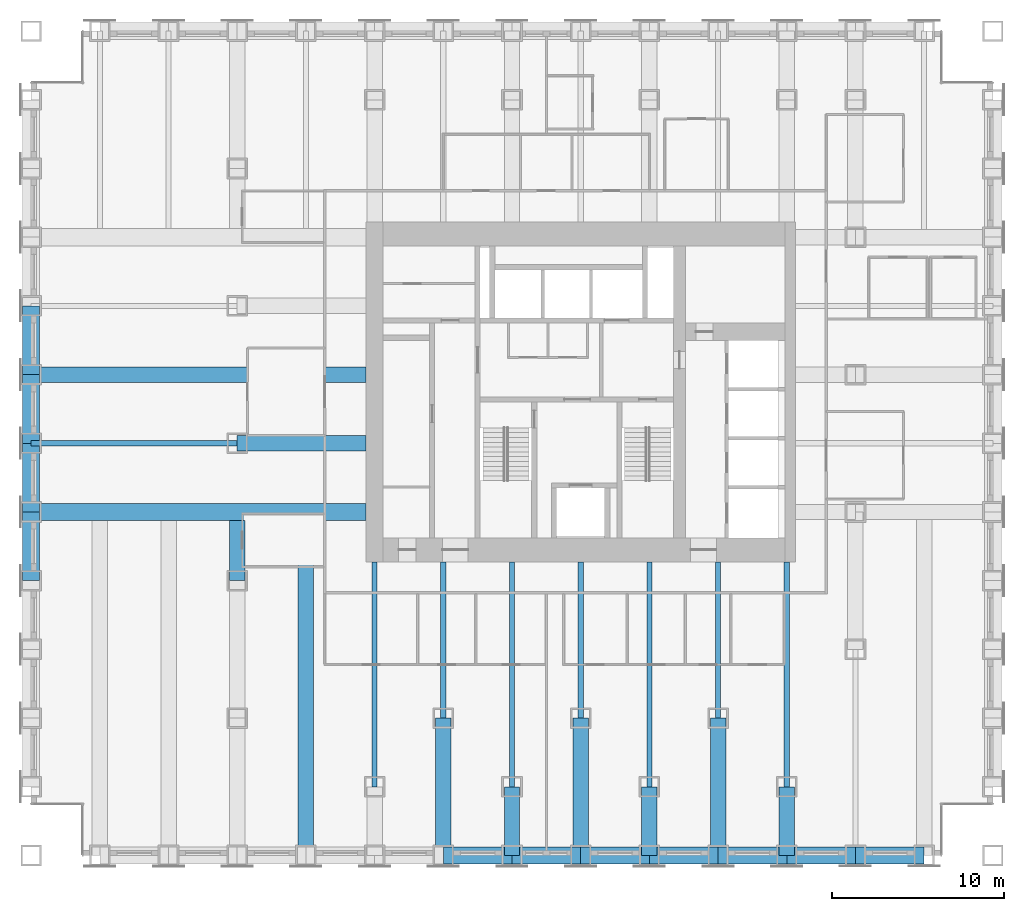
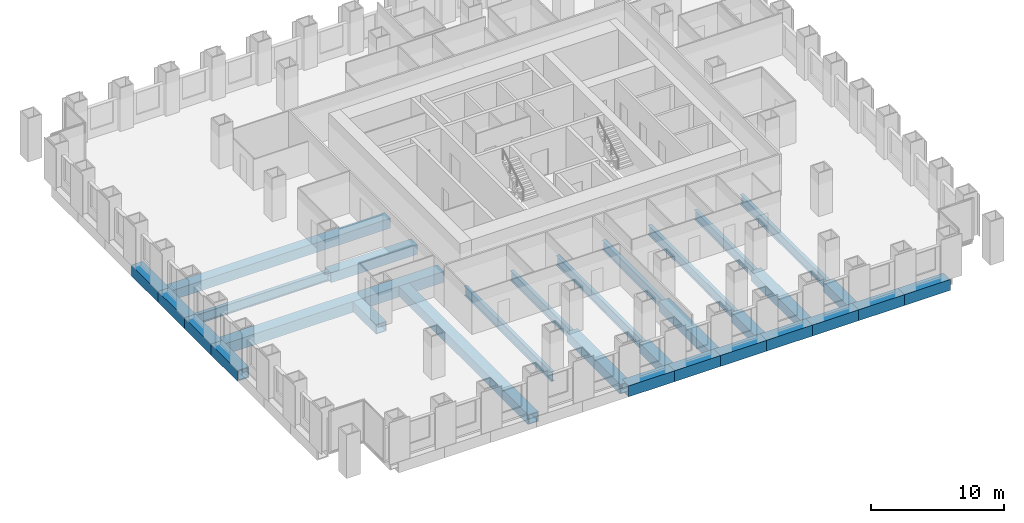
# One storey, part 3 of 14: 30 beams.
"""IFC4 building model written with IfcOpenShell, lengths in metres."""

from ifc_helpers import new_model, si_unit, direction, frame, origin, origin_2d, place, context, subcontext, project, spatial, hollow_rectangle, i_section, extrude, material, material_profile, profile_set, type_object, element, save


model = new_model("IFC4")

# Units and contexts
model_context = context("Model", 3, precision=1e-05, world=origin(), true_north=direction((0.0, 1.0)))
body_context = subcontext(model_context, "Body", "Model", "MODEL_VIEW")
ifc_project = project(units=[si_unit("LENGTHUNIT", "METRE"), si_unit("AREAUNIT", "SQUARE_METRE"), si_unit("VOLUMEUNIT", "CUBIC_METRE"), si_unit("PLANEANGLEUNIT", "RADIAN"), si_unit("MASSUNIT", "GRAM", prefix="KILO")], contexts=[model_context])

# Site, building, storey
site_placement = place(None, origin())
site = spatial("IfcSite", under=ifc_project, at=site_placement, CompositionType="ELEMENT")
building_placement = place(site_placement, origin())
building = spatial("IfcBuilding", under=site, at=building_placement, Name="Rimbunsela Tower", CompositionType="ELEMENT")
storey_placement = place(building_placement, frame((0.0, 0.0, 55.0)))
storey = spatial("IfcBuildingStorey", under=building, at=storey_placement, Name="L13", CompositionType="ELEMENT", Elevation=55.0)

# Beams
ifc_material_1 = material(Name="Steel BJ 55 (fy 410 MPa)", Category="steel")
ifc_material_profile_1 = material_profile(ifc_material_1, hollow_rectangle(XDim=1.0, YDim=1.0, WallThickness=0.10009765625, at=origin_2d()), Name="BOX 1000x1000x100")
ifc_profile_set_1 = profile_set([ifc_material_profile_1], Name="Steel BJ 55 (fy 410 MPa)")
beam_type_1 = type_object("IfcBeamType", Name="Beam BOX 1000x1000x100", PredefinedType="BEAM", material=ifc_profile_set_1)
for number, where, z_axis, x_axis, name in (
    (1, (-2.0, 16.0, -0.64990234375), (0.0, 1.0, 0.0), (-1.0, 0.0, 0.0), "Beam B3 L13"),
    (2, (-2.0, 20.0, -0.64990234375), (0.0, 1.0, 0.0), (-1.0, 0.0, 0.0), "Beam B3 L13"),
):
    element("IfcBeam", number, at=place(storey_placement, frame(where, z_axis=z_axis, x_axis=x_axis)), inside=storey, type_object=beam_type_1, Name=name, PredefinedType="BEAM", context=body_context, shape_type="SweptSolid", body=[
        extrude(hollow_rectangle(XDim=1.0, YDim=1.0, WallThickness=0.10009765625, at=origin_2d()), origin(), (0.0, 0.0, 1.0), 4.0),
    ])
beam_1_placement = place(storey_placement, frame((-2.0, 20.0, -0.64990234375), z_axis=(1.0, 0.0, 0.0), x_axis=(0.0, 1.0, 0.0)))
element("IfcBeam", 3, at=beam_1_placement, inside=storey, type_object=beam_type_1, Name="Beam B3 L13", PredefinedType="BEAM", context=body_context, shape_type="SweptSolid", body=[
    extrude(hollow_rectangle(XDim=1.0, YDim=1.0, WallThickness=0.10009765625, at=origin_2d()), origin(), (0.0, 0.0, 1.0), 19.5),
])
for number, where, z_axis, x_axis, name in (
    (4, (-2.0, 24.0, -0.64990234375), (0.0, 1.0, 0.0), (-1.0, 0.0, 0.0), "Beam B3 L13"),
    (5, (-2.0, 28.0, -0.64990234375), (0.0, 1.0, 0.0), (-1.0, 0.0, 0.0), "Beam B3 L13"),
    (6, (22.0, 0.0, -0.64990234375), (1.0, 0.0, 0.0), (0.0, 1.0, 0.0), "Beam B3 L13"),
    (7, (26.0, 0.0, -0.64990234375), (1.0, 0.0, 0.0), (0.0, 1.0, 0.0), "Beam B3 L13"),
    (8, (30.0, 0.0, -0.64990234375), (1.0, 0.0, 0.0), (0.0, 1.0, 0.0), "Beam B3 L13"),
    (9, (34.0, 0.0, -0.64990234375), (1.0, 0.0, 0.0), (0.0, 1.0, 0.0), "Beam B3 L13"),
    (10, (38.0, 0.0, -0.64990234375), (1.0, 0.0, 0.0), (0.0, 1.0, 0.0), "Beam B3 L13"),
    (11, (42.0, 0.0, -0.64990234375), (1.0, 0.0, 0.0), (0.0, 1.0, 0.0), "Beam B3 L13"),
    (12, (46.0, 0.0, -0.64990234375), (1.0, 0.0, 0.0), (0.0, 1.0, 0.0), "Beam B3 L13"),
):
    element("IfcBeam", number, at=place(storey_placement, frame(where, z_axis=z_axis, x_axis=x_axis)), inside=storey, type_object=beam_type_1, Name=name, PredefinedType="BEAM", context=body_context, shape_type="SweptSolid", body=[
        extrude(hollow_rectangle(XDim=1.0, YDim=1.0, WallThickness=0.10009765625, at=origin_2d()), origin(), (0.0, 0.0, 1.0), 4.0),
    ])
ifc_material_2 = material(Name="Steel BJ 55 (fy 410 MPa)", Category="steel")
ifc_material_profile_2 = material_profile(ifc_material_2, hollow_rectangle(XDim=0.89990234375, YDim=0.89990234375, WallThickness=0.06005859375, at=origin_2d()), Name="BOX 900x900x60")
ifc_profile_set_2 = profile_set([ifc_material_profile_2], Name="Steel BJ 55 (fy 410 MPa)")
beam_type_2 = type_object("IfcBeamType", Name="Beam BOX 900x900x60", PredefinedType="BEAM", material=ifc_profile_set_2)
beam_2_placement = place(storey_placement, frame((-2.0, 28.0, -0.60009765625), z_axis=(1.0, 0.0, 0.0), x_axis=(0.0, 1.0, 0.0)))
element("IfcBeam", 13, at=beam_2_placement, inside=storey, type_object=beam_type_2, Name="Beam B1 L13", PredefinedType="BEAM", context=body_context, shape_type="SweptSolid", body=[
    extrude(hollow_rectangle(XDim=0.89990234375, YDim=0.89990234375, WallThickness=0.06005859375, at=origin_2d()), origin(), (0.0, 0.0, 1.0), 19.5),
])
beam_3_placement = place(storey_placement, frame((10.0, 16.0, -0.60009765625), z_axis=(0.0, 1.0, 0.0), x_axis=(-1.0, 0.0, 0.0)))
element("IfcBeam", 14, at=beam_3_placement, inside=storey, type_object=beam_type_2, Name="Beam B1 L13", PredefinedType="BEAM", context=body_context, shape_type="SweptSolid", body=[
    extrude(hollow_rectangle(XDim=0.89990234375, YDim=0.89990234375, WallThickness=0.06005859375, at=origin_2d()), origin(), (0.0, 0.0, 1.0), 3.5),
])
beam_4_placement = place(storey_placement, frame((10.0, 24.0, -0.60009765625), z_axis=(1.0, 0.0, 0.0), x_axis=(0.0, 1.0, 0.0)))
element("IfcBeam", 15, at=beam_4_placement, inside=storey, type_object=beam_type_2, Name="Beam B1 L13", PredefinedType="BEAM", context=body_context, shape_type="SweptSolid", body=[
    extrude(hollow_rectangle(XDim=0.89990234375, YDim=0.89990234375, WallThickness=0.06005859375, at=origin_2d()), origin(), (0.0, 0.0, 1.0), 7.5),
])
beam_5_placement = place(storey_placement, frame((14.0, 0.0, -0.60009765625), z_axis=(0.0, 1.0, 0.0), x_axis=(-1.0, 0.0, 0.0)))
element("IfcBeam", 16, at=beam_5_placement, inside=storey, type_object=beam_type_2, Name="Beam B1 L13", PredefinedType="BEAM", context=body_context, shape_type="SweptSolid", body=[
    extrude(hollow_rectangle(XDim=0.89990234375, YDim=0.89990234375, WallThickness=0.06005859375, at=origin_2d()), origin(), (0.0, 0.0, 1.0), 19.5),
])
beam_6_placement = place(storey_placement, frame((22.0, 0.0, -0.60009765625), z_axis=(0.0, 1.0, 0.0), x_axis=(-1.0, 0.0, 0.0)))
element("IfcBeam", 17, at=beam_6_placement, inside=storey, type_object=beam_type_2, Name="Beam B1 L13", PredefinedType="BEAM", context=body_context, shape_type="SweptSolid", body=[
    extrude(hollow_rectangle(XDim=0.89990234375, YDim=0.89990234375, WallThickness=0.06005859375, at=origin_2d()), origin(), (0.0, 0.0, 1.0), 8.0),
])
beam_7_placement = place(storey_placement, frame((26.0, 0.0, -0.60009765625), z_axis=(0.0, 1.0, 0.0), x_axis=(-1.0, 0.0, 0.0)))
element("IfcBeam", 18, at=beam_7_placement, inside=storey, type_object=beam_type_2, Name="Beam B1 L13", PredefinedType="BEAM", context=body_context, shape_type="SweptSolid", body=[
    extrude(hollow_rectangle(XDim=0.89990234375, YDim=0.89990234375, WallThickness=0.06005859375, at=origin_2d()), origin(), (0.0, 0.0, 1.0), 4.0),
])
beam_8_placement = place(storey_placement, frame((30.0, 0.0, -0.60009765625), z_axis=(0.0, 1.0, 0.0), x_axis=(-1.0, 0.0, 0.0)))
element("IfcBeam", 19, at=beam_8_placement, inside=storey, type_object=beam_type_2, Name="Beam B1 L13", PredefinedType="BEAM", context=body_context, shape_type="SweptSolid", body=[
    extrude(hollow_rectangle(XDim=0.89990234375, YDim=0.89990234375, WallThickness=0.06005859375, at=origin_2d()), origin(), (0.0, 0.0, 1.0), 8.0),
])
beam_9_placement = place(storey_placement, frame((34.0, 0.0, -0.60009765625), z_axis=(0.0, 1.0, 0.0), x_axis=(-1.0, 0.0, 0.0)))
element("IfcBeam", 20, at=beam_9_placement, inside=storey, type_object=beam_type_2, Name="Beam B1 L13", PredefinedType="BEAM", context=body_context, shape_type="SweptSolid", body=[
    extrude(hollow_rectangle(XDim=0.89990234375, YDim=0.89990234375, WallThickness=0.06005859375, at=origin_2d()), origin(), (0.0, 0.0, 1.0), 4.0),
])
beam_10_placement = place(storey_placement, frame((38.0, 0.0, -0.60009765625), z_axis=(0.0, 1.0, 0.0), x_axis=(-1.0, 0.0, 0.0)))
element("IfcBeam", 21, at=beam_10_placement, inside=storey, type_object=beam_type_2, Name="Beam B1 L13", PredefinedType="BEAM", context=body_context, shape_type="SweptSolid", body=[
    extrude(hollow_rectangle(XDim=0.89990234375, YDim=0.89990234375, WallThickness=0.06005859375, at=origin_2d()), origin(), (0.0, 0.0, 1.0), 8.0),
])
beam_11_placement = place(storey_placement, frame((42.0, 0.0, -0.60009765625), z_axis=(0.0, 1.0, 0.0), x_axis=(-1.0, 0.0, 0.0)))
element("IfcBeam", 22, at=beam_11_placement, inside=storey, type_object=beam_type_2, Name="Beam B1 L13", PredefinedType="BEAM", context=body_context, shape_type="SweptSolid", body=[
    extrude(hollow_rectangle(XDim=0.89990234375, YDim=0.89990234375, WallThickness=0.06005859375, at=origin_2d()), origin(), (0.0, 0.0, 1.0), 4.0),
])
ifc_material_3 = material(Name="Steel BJ 55 (fy 410 MPa)", Category="steel")
ifc_material_profile_3 = material_profile(ifc_material_3, i_section(OverallWidth=0.300048828125, OverallDepth=0.89990234375, WebThickness=0.01611328125, FlangeThickness=0.028076171875, FilletRadius=0.028076171875, at=origin_2d()), Name="H 900x300x16x28")
ifc_profile_set_3 = profile_set([ifc_material_profile_3], Name="Steel BJ 55 (fy 410 MPa)")
beam_type_3 = type_object("IfcBeamType", Name="Beam H 900x300x16x28", PredefinedType="BEAM", material=ifc_profile_set_3)
beam_12_placement = place(storey_placement, frame((-2.0, 24.0, -0.60009765625), z_axis=(1.0, 0.0, 0.0), x_axis=(0.0, 1.0, 0.0)))
element("IfcBeam", 23, at=beam_12_placement, inside=storey, type_object=beam_type_3, Name="Beam B2 L13", PredefinedType="BEAM", context=body_context, shape_type="SweptSolid", body=[
    extrude(i_section(OverallWidth=0.300048828125, OverallDepth=0.89990234375, WebThickness=0.01611328125, FlangeThickness=0.028076171875, FilletRadius=0.028076171875, at=origin_2d()), origin(), (0.0, 0.0, 1.0), 12.0),
])
beam_13_placement = place(storey_placement, frame((18.0, 4.0, -0.60009765625), z_axis=(0.0, 1.0, 0.0), x_axis=(-1.0, 0.0, 0.0)))
element("IfcBeam", 24, at=beam_13_placement, inside=storey, type_object=beam_type_3, Name="Beam B2 L13", PredefinedType="BEAM", context=body_context, shape_type="SweptSolid", body=[
    extrude(i_section(OverallWidth=0.300048828125, OverallDepth=0.89990234375, WebThickness=0.01611328125, FlangeThickness=0.028076171875, FilletRadius=0.028076171875, at=origin_2d()), origin(), (0.0, 0.0, 1.0), 13.10009765625),
])
beam_14_placement = place(storey_placement, frame((22.0, 8.0, -0.60009765625), z_axis=(0.0, 1.0, 0.0), x_axis=(-1.0, 0.0, 0.0)))
element("IfcBeam", 25, at=beam_14_placement, inside=storey, type_object=beam_type_3, Name="Beam B2 L13", PredefinedType="BEAM", context=body_context, shape_type="SweptSolid", body=[
    extrude(i_section(OverallWidth=0.300048828125, OverallDepth=0.89990234375, WebThickness=0.01611328125, FlangeThickness=0.028076171875, FilletRadius=0.028076171875, at=origin_2d()), origin(), (0.0, 0.0, 1.0), 9.10009765625),
])
beam_15_placement = place(storey_placement, frame((26.0, 4.0, -0.60009765625), z_axis=(0.0, 1.0, 0.0), x_axis=(-1.0, 0.0, 0.0)))
element("IfcBeam", 26, at=beam_15_placement, inside=storey, type_object=beam_type_3, Name="Beam B2 L13", PredefinedType="BEAM", context=body_context, shape_type="SweptSolid", body=[
    extrude(i_section(OverallWidth=0.300048828125, OverallDepth=0.89990234375, WebThickness=0.01611328125, FlangeThickness=0.028076171875, FilletRadius=0.028076171875, at=origin_2d()), origin(), (0.0, 0.0, 1.0), 13.10009765625),
])
beam_16_placement = place(storey_placement, frame((30.0, 8.0, -0.60009765625), z_axis=(0.0, 1.0, 0.0), x_axis=(-1.0, 0.0, 0.0)))
element("IfcBeam", 27, at=beam_16_placement, inside=storey, type_object=beam_type_3, Name="Beam B2 L13", PredefinedType="BEAM", context=body_context, shape_type="SweptSolid", body=[
    extrude(i_section(OverallWidth=0.300048828125, OverallDepth=0.89990234375, WebThickness=0.01611328125, FlangeThickness=0.028076171875, FilletRadius=0.028076171875, at=origin_2d()), origin(), (0.0, 0.0, 1.0), 9.10009765625),
])
beam_17_placement = place(storey_placement, frame((34.0, 4.0, -0.60009765625), z_axis=(0.0, 1.0, 0.0), x_axis=(-1.0, 0.0, 0.0)))
element("IfcBeam", 28, at=beam_17_placement, inside=storey, type_object=beam_type_3, Name="Beam B2 L13", PredefinedType="BEAM", context=body_context, shape_type="SweptSolid", body=[
    extrude(i_section(OverallWidth=0.300048828125, OverallDepth=0.89990234375, WebThickness=0.01611328125, FlangeThickness=0.028076171875, FilletRadius=0.028076171875, at=origin_2d()), origin(), (0.0, 0.0, 1.0), 13.10009765625),
])
beam_18_placement = place(storey_placement, frame((38.0, 8.0, -0.60009765625), z_axis=(0.0, 1.0, 0.0), x_axis=(-1.0, 0.0, 0.0)))
element("IfcBeam", 29, at=beam_18_placement, inside=storey, type_object=beam_type_3, Name="Beam B2 L13", PredefinedType="BEAM", context=body_context, shape_type="SweptSolid", body=[
    extrude(i_section(OverallWidth=0.300048828125, OverallDepth=0.89990234375, WebThickness=0.01611328125, FlangeThickness=0.028076171875, FilletRadius=0.028076171875, at=origin_2d()), origin(), (0.0, 0.0, 1.0), 9.10009765625),
])
beam_19_placement = place(storey_placement, frame((42.0, 4.0, -0.60009765625), z_axis=(0.0, 1.0, 0.0), x_axis=(-1.0, 0.0, 0.0)))
element("IfcBeam", 30, at=beam_19_placement, inside=storey, type_object=beam_type_3, Name="Beam B2 L13", PredefinedType="BEAM", context=body_context, shape_type="SweptSolid", body=[
    extrude(i_section(OverallWidth=0.300048828125, OverallDepth=0.89990234375, WebThickness=0.01611328125, FlangeThickness=0.028076171875, FilletRadius=0.028076171875, at=origin_2d()), origin(), (0.0, 0.0, 1.0), 13.10009765625),
])

save(model, "model.ifc")
